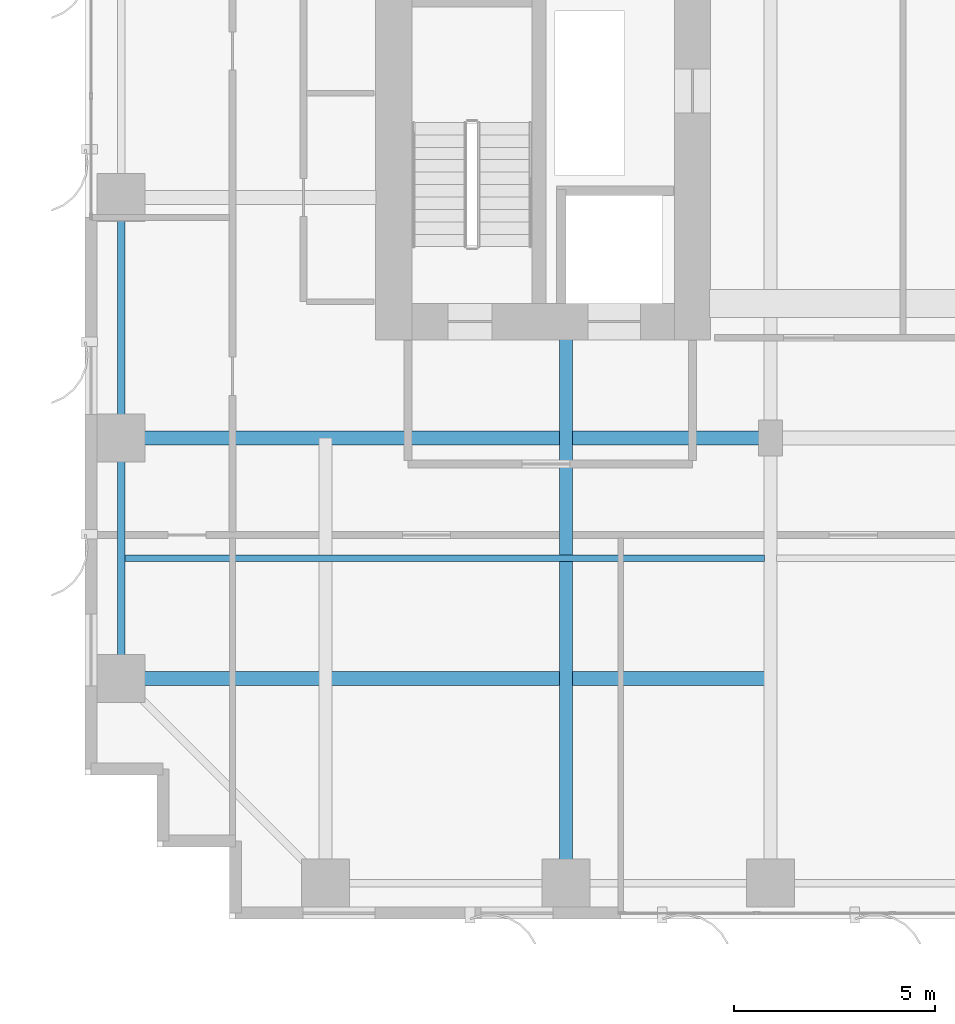
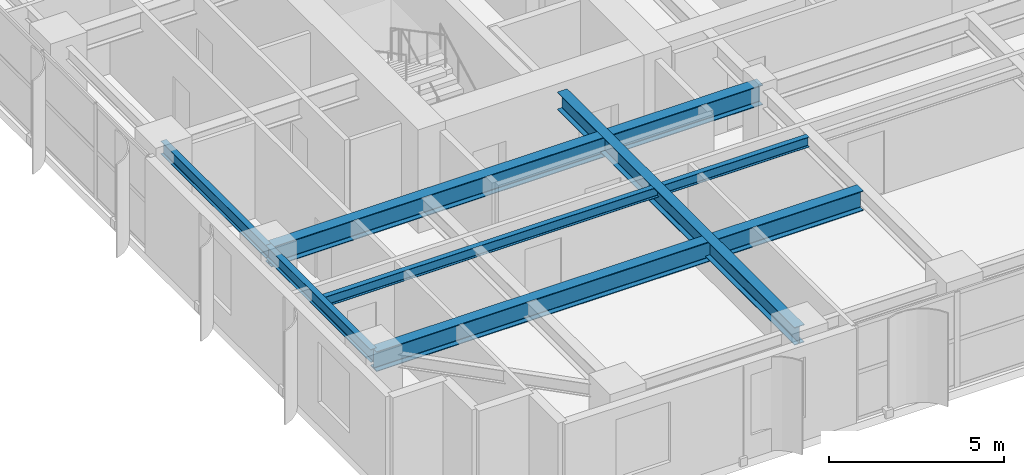
# One storey, part 3 of 25: 6 beams.
"""IFC4 building model written with IfcOpenShell, lengths in metres."""

from ifc_helpers import new_model, si_unit, direction, frame, origin, origin_2d, place, context, subcontext, project, spatial, i_section, extrude, source, transform, mapped, material, material_profile, profile_set, type_object, element, save


model = new_model("IFC4")

# Units and contexts
model_context = context("Model", 3, precision=1e-05, world=origin(), true_north=direction((0.0, 1.0)))
body_context = subcontext(model_context, "Body", "Model", "MODEL_VIEW")
ifc_project = project(units=[si_unit("LENGTHUNIT", "METRE"), si_unit("AREAUNIT", "SQUARE_METRE"), si_unit("VOLUMEUNIT", "CUBIC_METRE"), si_unit("PLANEANGLEUNIT", "RADIAN"), si_unit("MASSUNIT", "GRAM", prefix="KILO")], contexts=[model_context])

# Site, building, storey
site_placement = place(None, origin())
site = spatial("IfcSite", under=ifc_project, at=site_placement, CompositionType="ELEMENT")
building_placement = place(site_placement, origin())
building = spatial("IfcBuilding", under=site, at=building_placement, Name="Khoralis Quay Care Tower", CompositionType="ELEMENT")
storey_placement = place(building_placement, frame((0.0, 0.0, 51.300048828125)))
storey = spatial("IfcBuildingStorey", under=building, at=storey_placement, Name="L13", CompositionType="ELEMENT", Elevation=51.300048828125)

# Beams
ifc_material = material(Name="Steel S355", Category="steel")
ifc_material_profile_1 = material_profile(ifc_material, i_section(OverallWidth=0.18994140625, OverallDepth=0.449951171875, WebThickness=0.009521484375, FlangeThickness=0.0146484375, FilletRadius=0.02099609375, at=origin_2d()), Name="Steel S355")
ifc_profile_set_1 = profile_set([ifc_material_profile_1], Name="Steel S355")
beam_type_1 = type_object("IfcBeamType", Name="BM-IPE450", PredefinedType="SPANDREL", material=ifc_profile_set_1)
shared_shape_1 = source(origin(), body_context, "Body", "SweptSolid", [
    extrude(i_section(OverallWidth=0.18994140625, OverallDepth=0.449951171875, WebThickness=0.009521484375, FlangeThickness=0.0146484375, FilletRadius=0.02099609375, at=origin_2d()), origin(), (0.0, 0.0, 1.0), 6.0),
])
for number, where, z_axis, x_axis, name in (
    (1, (0.89990234375, 6.0, 3.094970703125), (0.0, 1.0, 0.0), (-1.0, 0.0, 0.0), "BM-TSP-L13-13"),
    (2, (0.89990234375, 12.0, 3.094970703125), (0.0, 1.0, 0.0), (-1.0, 0.0, 0.0), "BM-TSP-L13-14"),
):
    element("IfcBeam", number, at=place(storey_placement, frame(where, z_axis=z_axis, x_axis=x_axis)), inside=storey, type_object=beam_type_1, Name=name, PredefinedType="SPANDREL", context=body_context, shape_type="MappedRepresentation", body=[
        mapped(shared_shape_1, transform((0.0, 0.0, 0.0), scale=1.0)),
    ])
ifc_material_profile_2 = material_profile(ifc_material, i_section(OverallWidth=0.35498046875, OverallDepth=0.695068359375, WebThickness=0.015380859375, FlangeThickness=0.02490234375, FilletRadius=0.02001953125, at=origin_2d()), Name="Steel S355")
ifc_profile_set_2 = profile_set([ifc_material_profile_2], Name="Steel S355")
beam_type_2 = type_object("IfcBeamType", Name="BM-W690X217", PredefinedType="BEAM", material=ifc_profile_set_2)
shared_shape_2 = source(origin(), body_context, "Body", "SweptSolid", [
    extrude(i_section(OverallWidth=0.35498046875, OverallDepth=0.695068359375, WebThickness=0.015380859375, FlangeThickness=0.02490234375, FilletRadius=0.02001953125, at=origin_2d()), origin(), (0.0, 0.0, 1.0), 16.049560546875),
])
beam_1_placement = place(storey_placement, frame((0.89990234375, 6.0, 2.972412109375), z_axis=(1.0, 0.0, 0.0), x_axis=(0.0, 1.0, 0.0)))
element("IfcBeam", 3, at=beam_1_placement, inside=storey, type_object=beam_type_2, Name="BM-TGXW-L13-60", PredefinedType="BEAM", context=body_context, shape_type="MappedRepresentation", body=[
    mapped(shared_shape_2, transform((0.0, 0.0, 0.0), scale=1.0)),
])
shared_shape_3 = source(origin(), body_context, "Body", "SweptSolid", [
    extrude(i_section(OverallWidth=0.35498046875, OverallDepth=0.695068359375, WebThickness=0.015380859375, FlangeThickness=0.02490234375, FilletRadius=0.02001953125, at=origin_2d()), origin(), (0.0, 0.0, 1.0), 16.2001953125),
])
beam_2_placement = place(storey_placement, frame((0.89990234375, 12.0, 2.972412109375), z_axis=(1.0, 0.0, 0.0), x_axis=(0.0, 1.0, 0.0)))
element("IfcBeam", 4, at=beam_2_placement, inside=storey, type_object=beam_type_2, Name="BM-TGXW-L13-120", PredefinedType="BEAM", context=body_context, shape_type="MappedRepresentation", body=[
    mapped(shared_shape_3, transform((0.0, 0.0, 0.0), scale=1.0)),
])
ifc_material_profile_3 = material_profile(ifc_material, i_section(OverallWidth=0.324951171875, OverallDepth=0.615966796875, WebThickness=0.013916015625, FlangeThickness=0.021484375, FilletRadius=0.01806640625, at=origin_2d()), Name="Steel S355")
ifc_profile_set_3 = profile_set([ifc_material_profile_3], Name="Steel S355")
beam_type_3 = type_object("IfcBeamType", Name="BM-W610X174", PredefinedType="BEAM", material=ifc_profile_set_3)
shared_shape_4 = source(origin(), body_context, "Body", "SweptSolid", [
    extrude(i_section(OverallWidth=0.324951171875, OverallDepth=0.615966796875, WebThickness=0.013916015625, FlangeThickness=0.021484375, FilletRadius=0.01806640625, at=origin_2d()), origin(), (0.0, 0.0, 1.0), 13.552001953125),
])
beam_3_placement = place(storey_placement, frame((12.0, 0.89990234375, 3.011962890625), z_axis=(0.0, 1.0, 0.0), x_axis=(-1.0, 0.0, 0.0)))
element("IfcBeam", 5, at=beam_3_placement, inside=storey, type_object=beam_type_3, Name="BM-TGYS-L13-120", PredefinedType="BEAM", context=body_context, shape_type="MappedRepresentation", body=[
    mapped(shared_shape_4, transform((0.0, 0.0, 0.0), scale=1.0)),
])
ifc_material_profile_4 = material_profile(ifc_material, i_section(OverallWidth=0.1708984375, OverallDepth=0.35498046875, WebThickness=0.007080078125, FlangeThickness=0.01171875, FilletRadius=0.012939453125, at=origin_2d()), Name="Steel S355")
ifc_profile_set_4 = profile_set([ifc_material_profile_4], Name="Steel S355")
beam_type_4 = type_object("IfcBeamType", Name="BM-W360X51", PredefinedType="JOIST", material=ifc_profile_set_4)
shared_shape_5 = source(origin(), body_context, "Body", "SweptSolid", [
    extrude(i_section(OverallWidth=0.1708984375, OverallDepth=0.35498046875, WebThickness=0.007080078125, FlangeThickness=0.01171875, FilletRadius=0.012939453125, at=origin_2d()), origin(), (0.0, 0.0, 1.0), 15.968505859375),
])
beam_4_placement = place(storey_placement, frame((0.98095703125, 9.0, 3.142333984375), z_axis=(1.0, 0.0, 0.0), x_axis=(0.0, 1.0, 0.0)))
element("IfcBeam", 6, at=beam_4_placement, inside=storey, type_object=beam_type_4, Name="BM-TJS-L13-29", PredefinedType="JOIST", context=body_context, shape_type="MappedRepresentation", body=[
    mapped(shared_shape_5, transform((0.0, 0.0, 0.0), scale=1.0)),
])

save(model, "model.ifc")
